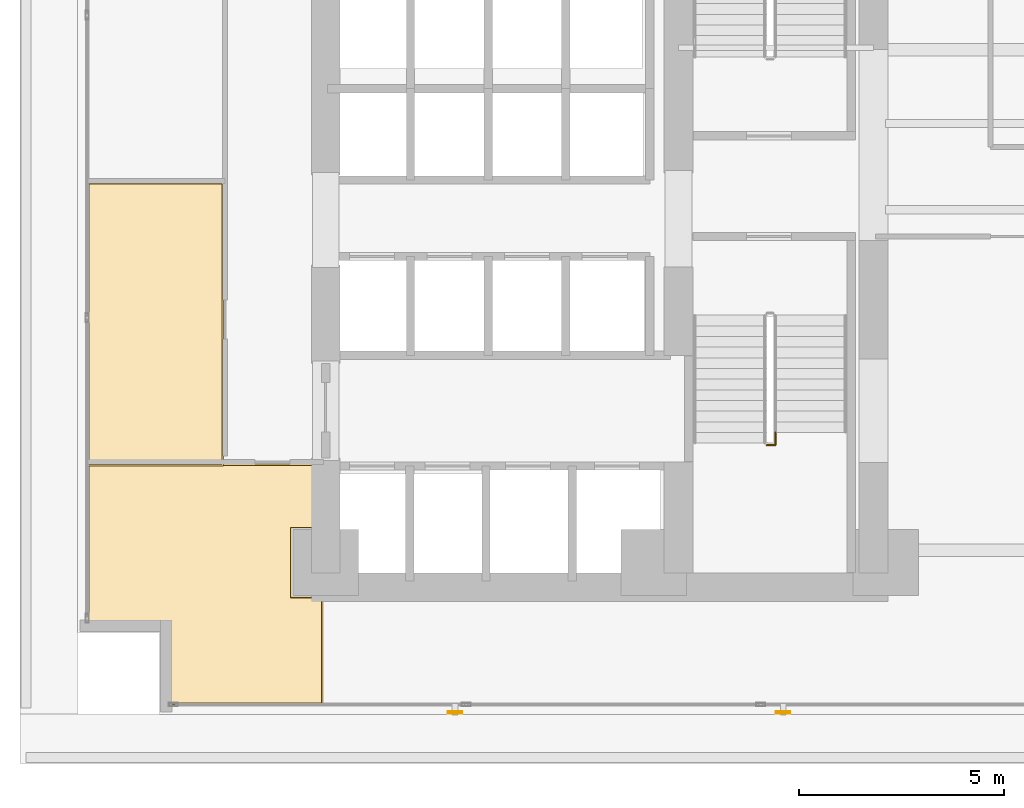
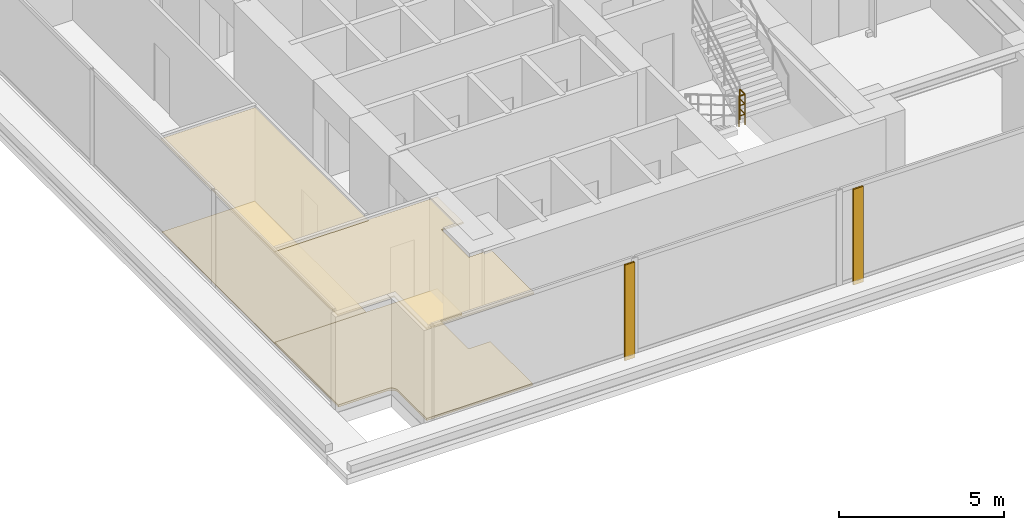
# One storey, part 26 of 29: 4 coverings, 2 shading devices, 1 railing.
"""IFC4 building model written with IfcOpenShell, lengths in metres."""

from ifc_helpers import new_model, si_unit, direction, frame, origin, origin_2d, place, context, subcontext, project, spatial, polyline, hollow_rectangle, circle, outline, extrude, material, layer, layer_set, material_profile, profile_set, type_object, element, save


model = new_model("IFC4")

# Units and contexts
model_context = context("Model", 3, precision=1e-05, world=origin(), true_north=direction((0.0, 1.0)))
body_context = subcontext(model_context, "Body", "Model", "MODEL_VIEW")
ifc_project = project(units=[si_unit("LENGTHUNIT", "METRE"), si_unit("AREAUNIT", "SQUARE_METRE"), si_unit("VOLUMEUNIT", "CUBIC_METRE"), si_unit("PLANEANGLEUNIT", "RADIAN"), si_unit("MASSUNIT", "GRAM", prefix="KILO")], contexts=[model_context])

# Site, building, storey
site_placement = place(None, origin())
site = spatial("IfcSite", under=ifc_project, at=site_placement, CompositionType="ELEMENT")
building_placement = place(site_placement, origin())
building = spatial("IfcBuilding", under=site, at=building_placement, Name="Kolvaren Waterfront Exchange", CompositionType="ELEMENT")
storey_placement = place(building_placement, frame((0.0, 0.0, 29.60009765625)))
storey = spatial("IfcBuildingStorey", under=building, at=storey_placement, Name="L07", CompositionType="ELEMENT", Elevation=29.60009765625)

# Coverings
ifc_material_1 = material(Name="Mineral fibre acoustic ceiling tile")
ifc_layer_1 = layer(ifc_material_1, 0.02490234375, Name="Mineral fibre acoustic ceiling tile")
ifc_layer_set_1 = layer_set([ifc_layer_1], Name="Mineral fibre acoustic ceiling tile")
covering_type_1 = type_object("IfcCoveringType", Name="ARC-CEIL-ACOUSTIC-25", PredefinedType="CEILING", material=ifc_layer_set_1)
covering_1_placement = place(storey_placement, frame((0.0, 0.0, 3.4248046875)))
element("IfcCovering", 1, at=covering_1_placement, inside=storey, type_object=covering_type_1, Name="L07 acoustic suspended ceiling 3", PredefinedType="CEILING", context=body_context, shape_type="SweptSolid", body=[
    extrude(outline(polyline([(1.64501953125, 7.2548828125), (4.955078125, 7.2548828125), (4.955078125, 14.155029296875), (1.64501953125, 14.155029296875), (1.64501953125, 7.2548828125)])), origin(), (0.0, 0.0, 1.0), 0.025146484375),
])
ifc_material_2 = material(Name="Perforated bronze acoustic ceiling panel", Category="aluminium")
ifc_layer_2 = layer(ifc_material_2, 0.054931640625, Name="Perforated bronze acoustic ceiling panel")
ifc_layer_set_2 = layer_set([ifc_layer_2], Name="Perforated bronze acoustic ceiling panel")
covering_type_2 = type_object("IfcCoveringType", Name="ARC-CEIL-BAFFLE-55", PredefinedType="CEILING", material=ifc_layer_set_2)
covering_2_placement = place(storey_placement, frame((0.0, 0.0, 3.39501953125)))
element("IfcCovering", 2, at=covering_2_placement, inside=storey, type_object=covering_type_2, Name="L07 acoustic suspended ceiling 2", PredefinedType="CEILING", context=body_context, shape_type="SweptSolid", body=[
    extrude(outline(polyline([(7.385009765625, 4.06005859375), (6.610107421875, 4.06005859375), (6.610107421875, 5.739990234375), (7.385009765625, 5.739990234375), (7.385009765625, 7.304931640625), (1.64501953125, 7.304931640625), (1.64501953125, 3.419921875), (3.6201171875, 3.419921875), (3.6201171875, 1.445068359375), (7.385009765625, 1.445068359375), (7.385009765625, 4.06005859375)])), origin(), (0.0, 0.0, 1.0), 0.054931640625),
])

# Shading devices
ifc_material_3 = material(Name="Anodised bronze aluminium 6063-T6", Category="aluminium")
ifc_material_profile = material_profile(ifc_material_3, hollow_rectangle(XDim=0.06005859375, YDim=0.35009765625, WallThickness=0.0048828125, at=origin_2d()), Name="BRZ-FIN-350x60x5")
ifc_profile_set = profile_set([ifc_material_profile], Name="Anodised bronze aluminium 6063-T6")
shading_device_type = type_object("IfcShadingDeviceType", Name="ARC-FIN-350", PredefinedType="USERDEFINED", material=ifc_profile_set)
for number, where, z_axis, x_axis, name in (
    (3, (10.60009765625, 1.239990234375, 0.0), (0.0, 0.0, 1.0), (0.0, -1.0, 0.0), "L07 anodised bronze solar shading fin FIN-L07-S1"),
    (4, (18.60009765625, 1.239990234375, 0.0), (0.0, 0.0, 1.0), (0.0, -1.0, 0.0), "L07 anodised bronze solar shading fin FIN-L07-S2"),
):
    element("IfcShadingDevice", number, at=place(storey_placement, frame(where, z_axis=z_axis, x_axis=x_axis)), inside=storey, type_object=shading_device_type, Name=name, ObjectType="SOLAR FIN", PredefinedType="USERDEFINED", context=body_context, shape_type="SweptSolid", body=[
        extrude(hollow_rectangle(XDim=0.06005859375, YDim=0.35009765625, WallThickness=0.0048828125, at=origin_2d()), origin(), (0.0, 0.0, 1.0), 3.539794921875),
    ])

# Coverings
ifc_material_4 = material(Name="Slip-resistant porcelain tile")
ifc_layer_3 = layer(ifc_material_4, 0.014892578125, Name="Slip-resistant porcelain tile")
ifc_layer_set_3 = layer_set([ifc_layer_3], Name="Slip-resistant porcelain tile")
covering_type_3 = type_object("IfcCoveringType", Name="ARC-FLR-PORC-15", PredefinedType="FLOORING", material=ifc_layer_set_3)
covering_3_placement = place(storey_placement, origin())
element("IfcCovering", 5, at=covering_3_placement, inside=storey, type_object=covering_type_3, Name="L07 floor finish 3", PredefinedType="FLOORING", context=body_context, shape_type="SweptSolid", body=[
    extrude(outline(polyline([(4.919921875, 14.1201171875), (1.679931640625, 14.1201171875), (1.679931640625, 7.2900390625), (4.919921875, 7.2900390625), (4.919921875, 14.1201171875)])), origin(), (0.0, 0.0, 1.0), 0.014892578125),
])
ifc_material_5 = material(Name="Raised access steel-cementitious floor panel", Category="steel")
ifc_layer_4 = layer(ifc_material_5, 0.080078125, Name="Raised access steel-cementitious floor panel")
ifc_layer_set_4 = layer_set([ifc_layer_4], Name="Raised access steel-cementitious floor panel")
covering_type_4 = type_object("IfcCoveringType", Name="ARC-FLR-RAISED-80", PredefinedType="FLOORING", material=ifc_layer_set_4)
covering_4_placement = place(storey_placement, origin())
element("IfcCovering", 6, at=covering_4_placement, inside=storey, type_object=covering_type_4, Name="L07 floor finish 2", PredefinedType="FLOORING", context=body_context, shape_type="SweptSolid", body=[
    extrude(outline(polyline([(7.35009765625, 7.27001953125), (1.679931640625, 7.27001953125), (1.679931640625, 3.43994140625), (3.39990234375, 3.43994140625), (3.423583984375, 3.438720703125), (3.44677734375, 3.435302734375), (3.4697265625, 3.4296875), (3.49169921875, 3.421630859375), (3.51318359375, 3.41162109375), (3.533203125, 3.399658203125), (3.55224609375, 3.385498046875), (3.569580078125, 3.36962890625), (3.58544921875, 3.352294921875), (3.599609375, 3.333251953125), (3.61181640625, 3.31298828125), (3.62158203125, 3.291748046875), (3.629638671875, 3.269775390625), (3.635498046875, 3.246826171875), (3.638916015625, 3.223388671875), (3.639892578125, 3.199951171875), (3.639892578125, 1.47998046875), (7.35009765625, 1.47998046875), (7.35009765625, 4.0400390625), (6.590087890625, 4.0400390625), (6.590087890625, 5.760009765625), (7.35009765625, 5.760009765625), (7.35009765625, 7.27001953125)])), origin(), (0.0, 0.0, 1.0), 0.079833984375),
])

# Railing
ifc_material_6 = material(Name="Stainless steel 316", Category="steel")
railing_type = type_object("IfcRailingType", Name="ARC-GUARD-STAIR", PredefinedType="GUARDRAIL", material=ifc_material_6)
railing_placement = place(storey_placement, frame((18.199951171875, 7.760009765625, 1.975830078125)))
element("IfcRailing", 7, at=railing_placement, inside=storey, type_object=railing_type, Name="L07 ST1 stair guard 2", PredefinedType="GUARDRAIL", context=body_context, shape_type="SweptSolid", body=[
    extrude(circle(Radius=0.02392578125, at=origin_2d()), frame((0.0, 0.0, 1.1259765625), z_axis=(1.0, 0.0, 0.0), x_axis=(0.0, 1.0, 0.0)), (0.0, 0.0, 1.0), 0.2099609375),
    extrude(circle(Radius=0.01611328125, at=origin_2d()), frame((0.0, 0.0, 0.390869140625), z_axis=(1.0, 0.0, 0.0), x_axis=(0.0, 1.0, 0.0)), (0.0, 0.0, 1.0), 0.2099609375),
    extrude(circle(Radius=0.01611328125, at=origin_2d()), frame((0.0, 0.0, 0.7705078125), z_axis=(1.0, 0.0, 0.0), x_axis=(0.0, 1.0, 0.0)), (0.0, 0.0, 1.0), 0.2099609375),
    extrude(circle(Radius=0.02392578125, at=origin_2d()), frame((0.2099609375, 0.0, 1.1259765625), z_axis=(0.0, 1.0, 0.0), x_axis=(-1.0, 0.0, 0.0)), (0.0, 0.0, 1.0), 0.31005859375),
    extrude(circle(Radius=0.01611328125, at=origin_2d()), frame((0.2099609375, 0.0, 0.390869140625), z_axis=(0.0, 1.0, 0.0), x_axis=(-1.0, 0.0, 0.0)), (0.0, 0.0, 1.0), 0.31005859375),
    extrude(circle(Radius=0.01611328125, at=origin_2d()), frame((0.2099609375, 0.0, 0.7705078125), z_axis=(0.0, 1.0, 0.0), x_axis=(-1.0, 0.0, 0.0)), (0.0, 0.0, 1.0), 0.31005859375),
    extrude(circle(Radius=0.02099609375, at=origin_2d()), origin(), (0.0, 0.0, 1.0), 1.101806640625),
    extrude(circle(Radius=0.02099609375, at=origin_2d()), frame((0.2099609375, 0.0, 0.0)), (0.0, 0.0, 1.0), 1.101806640625),
    extrude(circle(Radius=0.02099609375, at=origin_2d()), frame((0.2099609375, 0.31005859375, 0.0)), (0.0, 0.0, 1.0), 1.101806640625),
])

save(model, "model.ifc")
